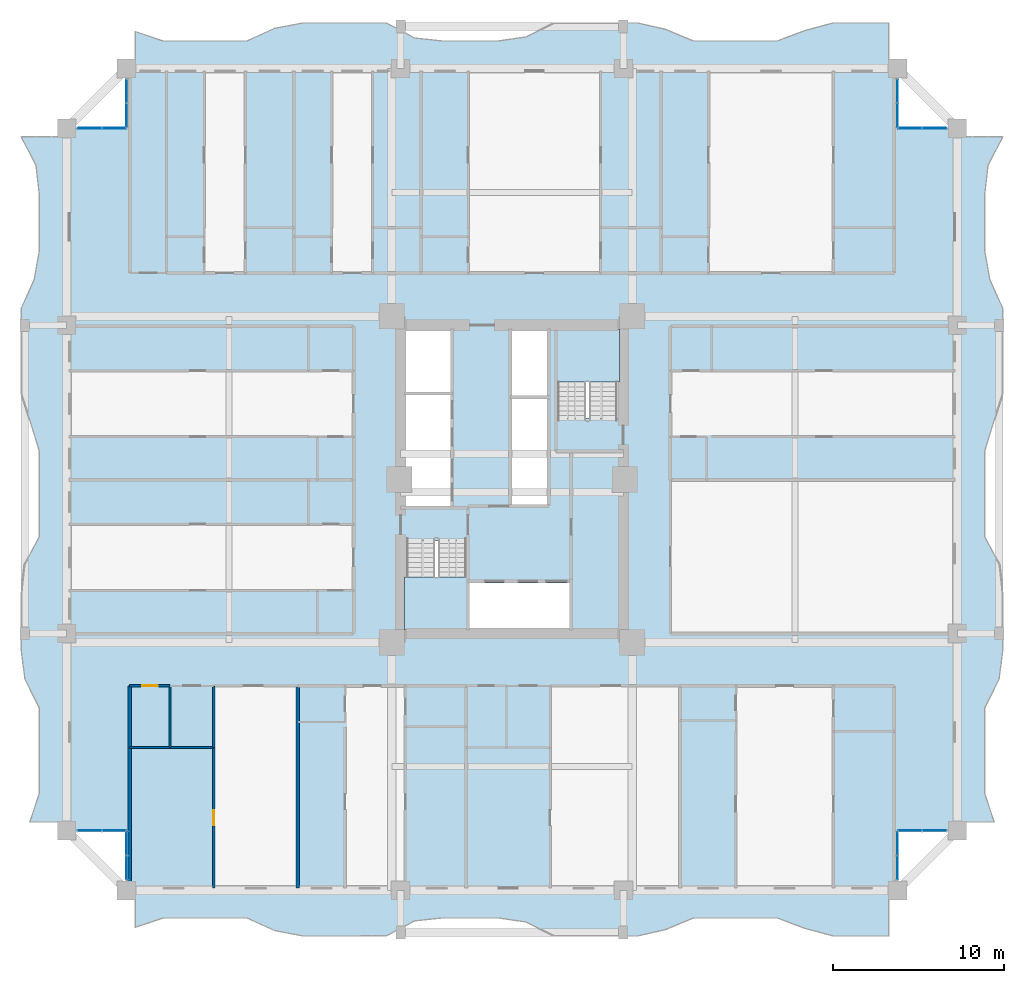
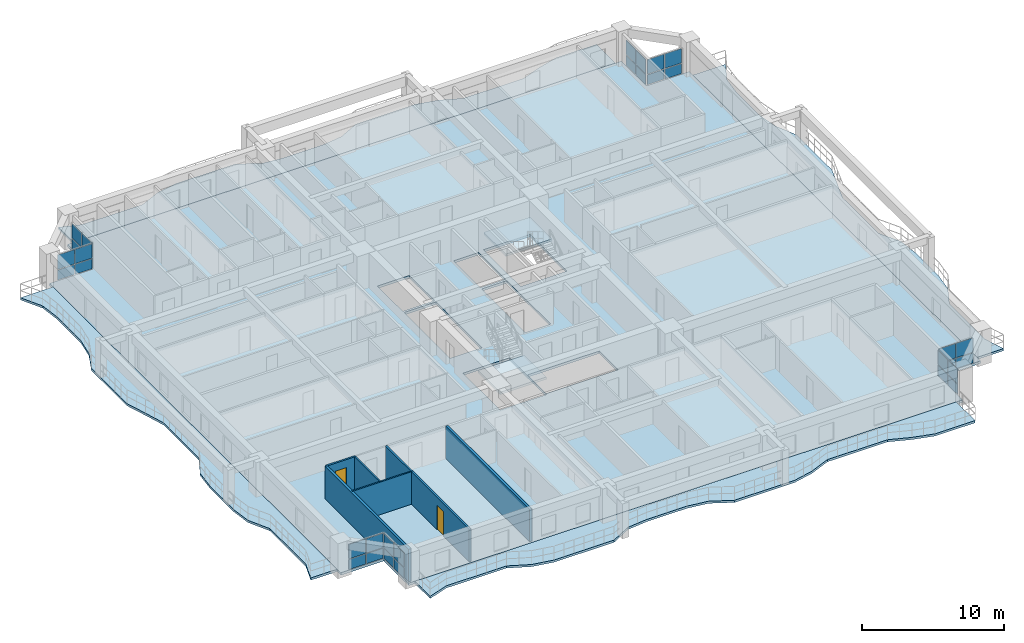
# One storey, part 13 of 27: 32 plates, 7 slabs, 7 walls, 2 doors, 2 openings, 10 elements without a shape of their own.
"""IFC4 building model written with IfcOpenShell, lengths in metres."""

from ifc_helpers import new_model, si_unit, direction, frame, frame_2d, origin, origin_2d, place, context, subcontext, project, spatial, polyline, rectangle, outline, extrude, source, transform, mapped, material, layer, layer_set, type_object, element, fill, aggregate, save


model = new_model("IFC4")

# Units and contexts
model_context = context("Model", 3, precision=1e-05, world=origin(), true_north=direction((0.0, 1.0)))
body_context = subcontext(model_context, "Body", "Model", "MODEL_VIEW")
ifc_project = project(units=[si_unit("LENGTHUNIT", "METRE"), si_unit("AREAUNIT", "SQUARE_METRE"), si_unit("VOLUMEUNIT", "CUBIC_METRE"), si_unit("PLANEANGLEUNIT", "RADIAN"), si_unit("MASSUNIT", "GRAM", prefix="KILO")], contexts=[model_context])

# Site, building, storey
site_placement = place(None, origin())
site = spatial("IfcSite", under=ifc_project, at=site_placement, CompositionType="ELEMENT")
building_placement = place(site_placement, origin())
building = spatial("IfcBuilding", under=site, at=building_placement, Name="Saelheon Loggia Tower", CompositionType="ELEMENT")
storey_placement = place(building_placement, frame((0.0, 0.0, 52.39990234375)))
storey = spatial("IfcBuildingStorey", under=building, at=storey_placement, Name="L16", CompositionType="ELEMENT", Elevation=52.39990234375)

# Slabs
ifc_material_1 = material(Name="Precast Concrete C45/55", Category="concrete")
ifc_layer_1 = layer(ifc_material_1, 0.18994140625)
ifc_layer_set_1 = layer_set([ifc_layer_1], Name="Precast Concrete C45/55")
slab_type_1 = type_object("IfcSlabType", Name="Slab_Loggia_Ext_190", PredefinedType="FLOOR", material=ifc_layer_set_1)
slab_1_placement = place(storey_placement, frame((0.0, 0.0, -0.18994140625)))
element("IfcSlab", 1, at=slab_1_placement, inside=storey, type_object=slab_type_1, Name="L16 Loggia Balcony Slab S", PredefinedType="FLOOR", context=body_context, shape_type="SweptSolid", body=[
    extrude(outline(polyline([(16.0, 0.85009765625), (17.629638671875, 1.39990234375), (19.25927734375, 1.39990234375), (20.888916015625, 1.39990234375), (22.5185546875, 1.39990234375), (24.148193359375, 0.661376953125), (25.77783203125, 0.35009765625), (27.407470703125, 0.35009765625), (29.037109375, 0.35009765625), (30.666748046875, 0.3544921875), (32.29638671875, 1.2236328125), (33.92578125, 1.39990234375), (35.5556640625, 1.39990234375), (37.185302734375, 1.39990234375), (38.814697265625, 1.165283203125), (40.4443359375, 0.35009765625), (42.07421875, 0.35009765625), (43.70361328125, 0.35009765625), (45.333251953125, 0.35009765625), (46.962890625, 0.72119140625), (48.592529296875, 1.39990234375), (50.22216796875, 1.39990234375), (51.851806640625, 1.39990234375), (53.4814453125, 1.39990234375), (55.111083984375, 0.78955078125), (56.74072265625, 0.35009765625), (58.370361328125, 0.35009765625), (60.0, 0.35009765625), (60.0, 3.0), (16.0, 3.0), (16.0, 0.85009765625)])), origin(), (0.0, 0.0, 1.0), 0.18994140625),
])
slab_2_placement = place(storey_placement, frame((0.0, 0.0, -0.18994140625)))
element("IfcSlab", 2, at=slab_2_placement, inside=storey, type_object=slab_type_1, Name="L16 Loggia Balcony Slab N", PredefinedType="FLOOR", context=body_context, shape_type="SweptSolid", body=[
    extrude(outline(polyline([(16.0, 51.0), (60.0, 51.0), (60.0, 53.64990234375), (58.370361328125, 53.64990234375), (56.74072265625, 53.64990234375), (55.111083984375, 53.21044921875), (53.4814453125, 52.60009765625), (51.851806640625, 52.60009765625), (50.22216796875, 52.60009765625), (48.592529296875, 52.60009765625), (46.962890625, 53.27880859375), (45.333251953125, 53.64990234375), (43.70361328125, 53.64990234375), (42.07421875, 53.64990234375), (40.4443359375, 53.64990234375), (38.814697265625, 52.834716796875), (37.185302734375, 52.60009765625), (35.5556640625, 52.60009765625), (33.92578125, 52.60009765625), (32.29638671875, 52.7763671875), (30.666748046875, 53.6455078125), (29.037109375, 53.64990234375), (27.407470703125, 53.64990234375), (25.77783203125, 53.64990234375), (24.148193359375, 53.338623046875), (22.5185546875, 52.60009765625), (20.888916015625, 52.60009765625), (19.25927734375, 52.60009765625), (17.629638671875, 52.60009765625), (16.0, 53.14990234375), (16.0, 51.0)])), origin(), (0.0, 0.0, 1.0), 0.18994140625),
])
slab_3_placement = place(storey_placement, frame((0.0, 0.0, -0.18994140625)))
element("IfcSlab", 3, at=slab_3_placement, inside=storey, type_object=slab_type_1, Name="L16 Loggia Balcony Slab E", PredefinedType="FLOOR", context=body_context, shape_type="SweptSolid", body=[
    extrude(outline(polyline([(64.0, 7.0), (66.14990234375, 7.0), (65.60009765625, 8.666748046875), (65.60009765625, 10.333251953125), (65.60009765625, 12.0), (65.60009765625, 13.666748046875), (66.437744140625, 15.333251953125), (66.64990234375, 17.0), (66.64990234375, 18.666748046875), (66.64990234375, 20.333251953125), (66.47314453125, 22.0), (65.60009765625, 23.666748046875), (65.60009765625, 25.333251953125), (65.60009765625, 27.0), (65.60009765625, 28.666748046875), (66.11376953125, 30.333251953125), (66.64990234375, 32.0), (66.64990234375, 33.666748046875), (66.64990234375, 35.333251953125), (66.64990234375, 37.0), (65.897705078125, 38.666748046875), (65.60009765625, 40.333251953125), (65.60009765625, 42.0), (65.60009765625, 43.666748046875), (65.791748046875, 45.333251953125), (66.64990234375, 47.0), (64.0, 47.0), (64.0, 7.0)])), origin(), (0.0, 0.0, 1.0), 0.18994140625),
])
slab_4_placement = place(storey_placement, frame((0.0, 0.0, -0.18994140625)))
element("IfcSlab", 4, at=slab_4_placement, inside=storey, type_object=slab_type_1, Name="L16 Loggia Balcony Slab W", PredefinedType="FLOOR", context=body_context, shape_type="SweptSolid", body=[
    extrude(outline(polyline([(12.0, 7.0), (12.0, 47.0), (9.35009765625, 47.0), (10.208251953125, 45.333251953125), (10.39990234375, 43.666748046875), (10.39990234375, 42.0), (10.39990234375, 40.333251953125), (10.102294921875, 38.666748046875), (9.35009765625, 37.0), (9.35009765625, 35.333251953125), (9.35009765625, 33.666748046875), (9.35009765625, 32.0), (9.88623046875, 30.333251953125), (10.39990234375, 28.666748046875), (10.39990234375, 27.0), (10.39990234375, 25.333251953125), (10.39990234375, 23.666748046875), (9.52685546875, 22.0), (9.35009765625, 20.333251953125), (9.35009765625, 18.666748046875), (9.35009765625, 17.0), (9.562255859375, 15.333251953125), (10.39990234375, 13.666748046875), (10.39990234375, 12.0), (10.39990234375, 10.333251953125), (10.39990234375, 8.666748046875), (9.85009765625, 7.0), (12.0, 7.0)])), origin(), (0.0, 0.0, 1.0), 0.18994140625),
])

# Stair, slab
ifc_material_2 = material(Name="Concrete C40/50", Category="concrete")
stair_type = type_object("IfcStairType", Name="Stair_Escape_Core", PredefinedType="HALF_TURN_STAIR", material=ifc_material_2)
stair_1_placement = place(storey_placement, origin())
stair_1 = element("IfcStair", 5, at=stair_1_placement, inside=storey, type_object=stair_type, Name="L16 Special Escape Stair ST1", PredefinedType="HALF_TURN_STAIR")
ifc_layer_2 = layer(ifc_material_2, 0.199951171875)
ifc_layer_set_2 = layer_set([ifc_layer_2], Name="Concrete C40/50")
slab_type_2 = type_object("IfcSlabType", Name="Slab_StairLanding_ST1", PredefinedType="LANDING", material=ifc_layer_set_2)
slab_5_placement = place(storey_placement, frame((0.0, 0.0, 1.300048828125)))
slab_5 = element("IfcSlab", 6, at=slab_5_placement, type_object=slab_type_2, Name="ST1 landing 1", PredefinedType="LANDING", context=body_context, shape_type="SweptSolid", body=[
    extrude(outline(polyline([(31.7099609375, 21.31005859375), (31.7099609375, 18.2099609375), (35.469970703125, 18.2099609375), (35.469970703125, 21.31005859375), (31.7099609375, 21.31005859375)])), origin(), (0.0, 0.0, 1.0), 0.199951171875),
])
aggregate(stair_1, [slab_5])

stair_2_placement = place(storey_placement, origin())
stair_2 = element("IfcStair", 7, at=stair_2_placement, inside=storey, type_object=stair_type, Name="L16 Special Escape Stair ST2", PredefinedType="HALF_TURN_STAIR")
ifc_layer_3 = layer(ifc_material_2, 0.199951171875)
ifc_layer_set_3 = layer_set([ifc_layer_3], Name="Concrete C40/50")
slab_type_3 = type_object("IfcSlabType", Name="Slab_StairLanding_ST2", PredefinedType="LANDING", material=ifc_layer_set_3)
slab_6_placement = place(storey_placement, frame((0.0, 0.0, 1.300048828125)))
slab_6 = element("IfcSlab", 8, at=slab_6_placement, type_object=slab_type_3, Name="ST2 landing 1", PredefinedType="LANDING", context=body_context, shape_type="SweptSolid", body=[
    extrude(outline(polyline([(44.2900390625, 32.68994140625), (44.2900390625, 35.7900390625), (40.530029296875, 35.7900390625), (40.530029296875, 32.68994140625), (44.2900390625, 32.68994140625)])), origin(), (0.0, 0.0, 1.0), 0.199951171875),
])
aggregate(stair_2, [slab_6])

# Slab
ifc_layer_4 = layer(ifc_material_2, 0.2099609375)
ifc_layer_set_4 = layer_set([ifc_layer_4], Name="Concrete C40/50")
slab_type_4 = type_object("IfcSlabType", Name="Slab_Tower_210", PredefinedType="FLOOR", material=ifc_layer_set_4)
slab_7_placement = place(storey_placement, frame((0.0, 0.0, -0.2099609375)))
element("IfcSlab", 9, at=slab_7_placement, inside=storey, type_object=slab_type_4, Name="L16 Tower Floor Slab", PredefinedType="FLOOR", context=body_context, shape_type="SweptSolid", body=[
    extrude(outline(polyline([(15.5, 3.0), (60.5, 3.0), (60.5, 6.5), (64.0, 6.5), (64.0, 47.5), (60.5, 47.5), (60.5, 51.0), (15.5, 51.0), (15.5, 47.5), (12.0, 47.5), (12.0, 6.5), (15.5, 6.5), (15.5, 3.0)]), holes=[polyline([(31.699951171875, 23.409912109375), (31.699951171875, 18.199951171875), (35.47998046875, 18.199951171875), (35.47998046875, 23.409912109375), (31.699951171875, 23.409912109375)]), polyline([(44.300048828125, 30.590087890625), (44.300048828125, 35.800048828125), (40.52001953125, 35.800048828125), (40.52001953125, 30.590087890625), (44.300048828125, 30.590087890625)]), polyline([(35.530029296875, 18.324951171875), (41.35009765625, 18.324951171875), (41.35009765625, 20.9599609375), (35.530029296875, 20.9599609375), (35.530029296875, 18.324951171875)]), polyline([(31.824951171875, 32.1201171875), (34.419921875, 32.1201171875), (34.419921875, 35.675048828125), (31.824951171875, 35.675048828125), (31.824951171875, 32.1201171875)]), polyline([(38.0, 31.89990234375), (40.050048828125, 31.89990234375), (40.050048828125, 35.675048828125), (38.0, 35.675048828125), (38.0, 31.89990234375)]), polyline([(31.824951171875, 25.449951171875), (34.419921875, 25.449951171875), (34.419921875, 31.919921875), (31.824951171875, 31.919921875), (31.824951171875, 25.449951171875)]), polyline([(38.0, 25.5400390625), (40.050048828125, 25.5400390625), (40.050048828125, 31.699951171875), (38.0, 31.699951171875), (38.0, 25.5400390625)])]), origin(), (0.0, 0.0, 1.0), 0.2099609375),
])

# Curtain wall, plates
ifc_material_3 = material(Name="Thermal-Break Aluminium and Triple Low-E Glass", Category="aluminium")
ifc_layer_5 = layer(ifc_material_3, 0.159912109375)
ifc_layer_set_5 = layer_set([ifc_layer_5], Name="Thermal-Break Aluminium and Triple Low-E Glass")
curtain_wall_type = type_object("IfcCurtainWallType", Name="CW_TowerLoggiaLow", PredefinedType="NOTDEFINED", material=ifc_layer_set_5)
curtain_wall_1_placement = place(storey_placement, origin())
curtain_wall_1 = element("IfcCurtainWall", 10, at=curtain_wall_1_placement, inside=storey, type_object=curtain_wall_type, Name="L16 Corner Notch Glazing SW1", PredefinedType="NOTDEFINED")
ifc_material_4 = material(Name="Triple Low-E Laminated Glazing", Category="glass")
ifc_layer_6 = layer(ifc_material_4, 0.0419921875)
ifc_layer_set_6 = layer_set([ifc_layer_6], Name="Triple Low-E Laminated Glazing")
plate_type = type_object("IfcPlateType", Name="CW_TowerLoggiaLow_Panel", PredefinedType="CURTAIN_PANEL", material=ifc_layer_set_6)
shared_shape_1 = source(origin(), body_context, "Body", "SweptSolid", [
    extrude(rectangle(XDim=1.357421875, YDim=0.0419921875, at=origin_2d()), origin(), (0.0, 0.0, 1.0), 0.8525390625),
])
plate_1_placement = place(storey_placement, frame((15.5, 4.333740234375, 0.065185546875), z_axis=(0.0, 0.0, 1.0), x_axis=(0.0, 1.0, 0.0)))
plate_1 = element("IfcPlate", 11, at=plate_1_placement, type_object=plate_type, Name="CW3 panel 1.1", PredefinedType="CURTAIN_PANEL", context=body_context, shape_type="MappedRepresentation", body=[
    mapped(shared_shape_1, transform((0.0, 0.0, 0.0), scale=1.0)),
])
plate_2_placement = place(storey_placement, frame((15.5, 5.75634765625, 0.065185546875), z_axis=(0.0, 0.0, 1.0), x_axis=(0.0, 1.0, 0.0)))
plate_2 = element("IfcPlate", 12, at=plate_2_placement, type_object=plate_type, Name="CW3 panel 2.1", PredefinedType="CURTAIN_PANEL", context=body_context, shape_type="MappedRepresentation", body=[
    mapped(shared_shape_1, transform((0.0, 0.0, 0.0), scale=1.0)),
])

curtain_wall_2_placement = place(storey_placement, origin())
curtain_wall_2 = element("IfcCurtainWall", 13, at=curtain_wall_2_placement, inside=storey, type_object=curtain_wall_type, Name="L16 Corner Notch Glazing SW2", PredefinedType="NOTDEFINED")
plate_3_placement = place(storey_placement, frame((13.333740234375, 6.5, 0.065185546875), z_axis=(0.0, 0.0, 1.0), x_axis=(1.0, 0.0, 0.0)))
plate_3 = element("IfcPlate", 14, at=plate_3_placement, type_object=plate_type, Name="CW3 panel 1.1", PredefinedType="CURTAIN_PANEL", context=body_context, shape_type="MappedRepresentation", body=[
    mapped(shared_shape_1, transform((0.0, 0.0, 0.0), scale=1.0)),
])
plate_4_placement = place(storey_placement, frame((14.75634765625, 6.5, 0.065185546875), z_axis=(0.0, 0.0, 1.0), x_axis=(1.0, 0.0, 0.0)))
plate_4 = element("IfcPlate", 15, at=plate_4_placement, type_object=plate_type, Name="CW3 panel 2.1", PredefinedType="CURTAIN_PANEL", context=body_context, shape_type="MappedRepresentation", body=[
    mapped(shared_shape_1, transform((0.0, 0.0, 0.0), scale=1.0)),
])

curtain_wall_3_placement = place(storey_placement, origin())
curtain_wall_3 = element("IfcCurtainWall", 16, at=curtain_wall_3_placement, inside=storey, type_object=curtain_wall_type, Name="L16 Corner Notch Glazing SE1", PredefinedType="NOTDEFINED")
plate_5_placement = place(storey_placement, frame((60.5, 4.333740234375, 0.065185546875), z_axis=(0.0, 0.0, 1.0), x_axis=(0.0, 1.0, 0.0)))
plate_5 = element("IfcPlate", 17, at=plate_5_placement, type_object=plate_type, Name="CW3 panel 1.1", PredefinedType="CURTAIN_PANEL", context=body_context, shape_type="MappedRepresentation", body=[
    mapped(shared_shape_1, transform((0.0, 0.0, 0.0), scale=1.0)),
])
plate_6_placement = place(storey_placement, frame((60.5, 5.75634765625, 0.065185546875), z_axis=(0.0, 0.0, 1.0), x_axis=(0.0, 1.0, 0.0)))
plate_6 = element("IfcPlate", 18, at=plate_6_placement, type_object=plate_type, Name="CW3 panel 2.1", PredefinedType="CURTAIN_PANEL", context=body_context, shape_type="MappedRepresentation", body=[
    mapped(shared_shape_1, transform((0.0, 0.0, 0.0), scale=1.0)),
])

curtain_wall_4_placement = place(storey_placement, origin())
curtain_wall_4 = element("IfcCurtainWall", 19, at=curtain_wall_4_placement, inside=storey, type_object=curtain_wall_type, Name="L16 Corner Notch Glazing SE2", PredefinedType="NOTDEFINED")
plate_7_placement = place(storey_placement, frame((61.24365234375, 6.5, 0.065185546875), z_axis=(0.0, 0.0, 1.0), x_axis=(1.0, 0.0, 0.0)))
plate_7 = element("IfcPlate", 20, at=plate_7_placement, type_object=plate_type, Name="CW3 panel 1.1", PredefinedType="CURTAIN_PANEL", context=body_context, shape_type="MappedRepresentation", body=[
    mapped(shared_shape_1, transform((0.0, 0.0, 0.0), scale=1.0)),
])
plate_8_placement = place(storey_placement, frame((62.666259765625, 6.5, 0.065185546875), z_axis=(0.0, 0.0, 1.0), x_axis=(1.0, 0.0, 0.0)))
plate_8 = element("IfcPlate", 21, at=plate_8_placement, type_object=plate_type, Name="CW3 panel 2.1", PredefinedType="CURTAIN_PANEL", context=body_context, shape_type="MappedRepresentation", body=[
    mapped(shared_shape_1, transform((0.0, 0.0, 0.0), scale=1.0)),
])

curtain_wall_5_placement = place(storey_placement, origin())
curtain_wall_5 = element("IfcCurtainWall", 22, at=curtain_wall_5_placement, inside=storey, type_object=curtain_wall_type, Name="L16 Corner Notch Glazing NW1", PredefinedType="NOTDEFINED")
plate_9_placement = place(storey_placement, frame((15.5, 48.24365234375, 0.065185546875), z_axis=(0.0, 0.0, 1.0), x_axis=(0.0, 1.0, 0.0)))
plate_9 = element("IfcPlate", 23, at=plate_9_placement, type_object=plate_type, Name="CW3 panel 1.1", PredefinedType="CURTAIN_PANEL", context=body_context, shape_type="MappedRepresentation", body=[
    mapped(shared_shape_1, transform((0.0, 0.0, 0.0), scale=1.0)),
])
plate_10_placement = place(storey_placement, frame((15.5, 49.666259765625, 0.065185546875), z_axis=(0.0, 0.0, 1.0), x_axis=(0.0, 1.0, 0.0)))
plate_10 = element("IfcPlate", 24, at=plate_10_placement, type_object=plate_type, Name="CW3 panel 2.1", PredefinedType="CURTAIN_PANEL", context=body_context, shape_type="MappedRepresentation", body=[
    mapped(shared_shape_1, transform((0.0, 0.0, 0.0), scale=1.0)),
])

curtain_wall_6_placement = place(storey_placement, origin())
curtain_wall_6 = element("IfcCurtainWall", 25, at=curtain_wall_6_placement, inside=storey, type_object=curtain_wall_type, Name="L16 Corner Notch Glazing NW2", PredefinedType="NOTDEFINED")
plate_11_placement = place(storey_placement, frame((13.333740234375, 47.5, 0.065185546875), z_axis=(0.0, 0.0, 1.0), x_axis=(1.0, 0.0, 0.0)))
plate_11 = element("IfcPlate", 26, at=plate_11_placement, type_object=plate_type, Name="CW3 panel 1.1", PredefinedType="CURTAIN_PANEL", context=body_context, shape_type="MappedRepresentation", body=[
    mapped(shared_shape_1, transform((0.0, 0.0, 0.0), scale=1.0)),
])
plate_12_placement = place(storey_placement, frame((14.75634765625, 47.5, 0.065185546875), z_axis=(0.0, 0.0, 1.0), x_axis=(1.0, 0.0, 0.0)))
plate_12 = element("IfcPlate", 27, at=plate_12_placement, type_object=plate_type, Name="CW3 panel 2.1", PredefinedType="CURTAIN_PANEL", context=body_context, shape_type="MappedRepresentation", body=[
    mapped(shared_shape_1, transform((0.0, 0.0, 0.0), scale=1.0)),
])

curtain_wall_7_placement = place(storey_placement, origin())
curtain_wall_7 = element("IfcCurtainWall", 28, at=curtain_wall_7_placement, inside=storey, type_object=curtain_wall_type, Name="L16 Corner Notch Glazing NE1", PredefinedType="NOTDEFINED")
plate_13_placement = place(storey_placement, frame((60.5, 48.24365234375, 0.065185546875), z_axis=(0.0, 0.0, 1.0), x_axis=(0.0, 1.0, 0.0)))
plate_13 = element("IfcPlate", 29, at=plate_13_placement, type_object=plate_type, Name="CW3 panel 1.1", PredefinedType="CURTAIN_PANEL", context=body_context, shape_type="MappedRepresentation", body=[
    mapped(shared_shape_1, transform((0.0, 0.0, 0.0), scale=1.0)),
])
plate_14_placement = place(storey_placement, frame((60.5, 49.666259765625, 0.065185546875), z_axis=(0.0, 0.0, 1.0), x_axis=(0.0, 1.0, 0.0)))
plate_14 = element("IfcPlate", 30, at=plate_14_placement, type_object=plate_type, Name="CW3 panel 2.1", PredefinedType="CURTAIN_PANEL", context=body_context, shape_type="MappedRepresentation", body=[
    mapped(shared_shape_1, transform((0.0, 0.0, 0.0), scale=1.0)),
])

curtain_wall_8_placement = place(storey_placement, origin())
curtain_wall_8 = element("IfcCurtainWall", 31, at=curtain_wall_8_placement, inside=storey, type_object=curtain_wall_type, Name="L16 Corner Notch Glazing NE2", PredefinedType="NOTDEFINED")
plate_15_placement = place(storey_placement, frame((61.24365234375, 47.5, 0.065185546875), z_axis=(0.0, 0.0, 1.0), x_axis=(1.0, 0.0, 0.0)))
plate_15 = element("IfcPlate", 32, at=plate_15_placement, type_object=plate_type, Name="CW3 panel 1.1", PredefinedType="CURTAIN_PANEL", context=body_context, shape_type="MappedRepresentation", body=[
    mapped(shared_shape_1, transform((0.0, 0.0, 0.0), scale=1.0)),
])
plate_16_placement = place(storey_placement, frame((62.666259765625, 47.5, 0.065185546875), z_axis=(0.0, 0.0, 1.0), x_axis=(1.0, 0.0, 0.0)))
plate_16 = element("IfcPlate", 33, at=plate_16_placement, type_object=plate_type, Name="CW3 panel 2.1", PredefinedType="CURTAIN_PANEL", context=body_context, shape_type="MappedRepresentation", body=[
    mapped(shared_shape_1, transform((0.0, 0.0, 0.0), scale=1.0)),
])

# Plate
shared_shape_2 = source(origin(), body_context, "Body", "SweptSolid", [
    extrude(rectangle(XDim=1.357421875, YDim=0.0419921875, at=origin_2d()), origin(), (0.0, 0.0, 1.0), 1.232421875),
])
plate_17_placement = place(storey_placement, frame((15.5, 4.333740234375, 0.982666015625), z_axis=(0.0, 0.0, 1.0), x_axis=(0.0, 1.0, 0.0)))
plate_17 = element("IfcPlate", 34, at=plate_17_placement, type_object=plate_type, Name="CW3 panel 1.2", PredefinedType="CURTAIN_PANEL", context=body_context, shape_type="MappedRepresentation", body=[
    mapped(shared_shape_2, transform((0.0, 0.0, 0.0), scale=1.0)),
])

plate_18_placement = place(storey_placement, frame((15.5, 5.75634765625, 0.982666015625), z_axis=(0.0, 0.0, 1.0), x_axis=(0.0, 1.0, 0.0)))
plate_18 = element("IfcPlate", 35, at=plate_18_placement, type_object=plate_type, Name="CW3 panel 2.2", PredefinedType="CURTAIN_PANEL", context=body_context, shape_type="MappedRepresentation", body=[
    mapped(shared_shape_2, transform((0.0, 0.0, 0.0), scale=1.0)),
])

aggregate(curtain_wall_1, [plate_1, plate_17, plate_2, plate_18])

plate_19_placement = place(storey_placement, frame((13.333740234375, 6.5, 0.982666015625), z_axis=(0.0, 0.0, 1.0), x_axis=(1.0, 0.0, 0.0)))
plate_19 = element("IfcPlate", 36, at=plate_19_placement, type_object=plate_type, Name="CW3 panel 1.2", PredefinedType="CURTAIN_PANEL", context=body_context, shape_type="MappedRepresentation", body=[
    mapped(shared_shape_2, transform((0.0, 0.0, 0.0), scale=1.0)),
])

plate_20_placement = place(storey_placement, frame((14.75634765625, 6.5, 0.982666015625), z_axis=(0.0, 0.0, 1.0), x_axis=(1.0, 0.0, 0.0)))
plate_20 = element("IfcPlate", 37, at=plate_20_placement, type_object=plate_type, Name="CW3 panel 2.2", PredefinedType="CURTAIN_PANEL", context=body_context, shape_type="MappedRepresentation", body=[
    mapped(shared_shape_2, transform((0.0, 0.0, 0.0), scale=1.0)),
])

aggregate(curtain_wall_2, [plate_3, plate_19, plate_4, plate_20])

plate_21_placement = place(storey_placement, frame((60.5, 4.333740234375, 0.982666015625), z_axis=(0.0, 0.0, 1.0), x_axis=(0.0, 1.0, 0.0)))
plate_21 = element("IfcPlate", 38, at=plate_21_placement, type_object=plate_type, Name="CW3 panel 1.2", PredefinedType="CURTAIN_PANEL", context=body_context, shape_type="MappedRepresentation", body=[
    mapped(shared_shape_2, transform((0.0, 0.0, 0.0), scale=1.0)),
])

plate_22_placement = place(storey_placement, frame((60.5, 5.75634765625, 0.982666015625), z_axis=(0.0, 0.0, 1.0), x_axis=(0.0, 1.0, 0.0)))
plate_22 = element("IfcPlate", 39, at=plate_22_placement, type_object=plate_type, Name="CW3 panel 2.2", PredefinedType="CURTAIN_PANEL", context=body_context, shape_type="MappedRepresentation", body=[
    mapped(shared_shape_2, transform((0.0, 0.0, 0.0), scale=1.0)),
])

aggregate(curtain_wall_3, [plate_5, plate_21, plate_6, plate_22])

plate_23_placement = place(storey_placement, frame((61.24365234375, 6.5, 0.982666015625), z_axis=(0.0, 0.0, 1.0), x_axis=(1.0, 0.0, 0.0)))
plate_23 = element("IfcPlate", 40, at=plate_23_placement, type_object=plate_type, Name="CW3 panel 1.2", PredefinedType="CURTAIN_PANEL", context=body_context, shape_type="MappedRepresentation", body=[
    mapped(shared_shape_2, transform((0.0, 0.0, 0.0), scale=1.0)),
])

plate_24_placement = place(storey_placement, frame((62.666259765625, 6.5, 0.982666015625), z_axis=(0.0, 0.0, 1.0), x_axis=(1.0, 0.0, 0.0)))
plate_24 = element("IfcPlate", 41, at=plate_24_placement, type_object=plate_type, Name="CW3 panel 2.2", PredefinedType="CURTAIN_PANEL", context=body_context, shape_type="MappedRepresentation", body=[
    mapped(shared_shape_2, transform((0.0, 0.0, 0.0), scale=1.0)),
])

aggregate(curtain_wall_4, [plate_7, plate_23, plate_8, plate_24])

plate_25_placement = place(storey_placement, frame((15.5, 48.24365234375, 0.982666015625), z_axis=(0.0, 0.0, 1.0), x_axis=(0.0, 1.0, 0.0)))
plate_25 = element("IfcPlate", 42, at=plate_25_placement, type_object=plate_type, Name="CW3 panel 1.2", PredefinedType="CURTAIN_PANEL", context=body_context, shape_type="MappedRepresentation", body=[
    mapped(shared_shape_2, transform((0.0, 0.0, 0.0), scale=1.0)),
])

plate_26_placement = place(storey_placement, frame((15.5, 49.666259765625, 0.982666015625), z_axis=(0.0, 0.0, 1.0), x_axis=(0.0, 1.0, 0.0)))
plate_26 = element("IfcPlate", 43, at=plate_26_placement, type_object=plate_type, Name="CW3 panel 2.2", PredefinedType="CURTAIN_PANEL", context=body_context, shape_type="MappedRepresentation", body=[
    mapped(shared_shape_2, transform((0.0, 0.0, 0.0), scale=1.0)),
])

aggregate(curtain_wall_5, [plate_9, plate_25, plate_10, plate_26])

plate_27_placement = place(storey_placement, frame((13.333740234375, 47.5, 0.982666015625), z_axis=(0.0, 0.0, 1.0), x_axis=(1.0, 0.0, 0.0)))
plate_27 = element("IfcPlate", 44, at=plate_27_placement, type_object=plate_type, Name="CW3 panel 1.2", PredefinedType="CURTAIN_PANEL", context=body_context, shape_type="MappedRepresentation", body=[
    mapped(shared_shape_2, transform((0.0, 0.0, 0.0), scale=1.0)),
])

plate_28_placement = place(storey_placement, frame((14.75634765625, 47.5, 0.982666015625), z_axis=(0.0, 0.0, 1.0), x_axis=(1.0, 0.0, 0.0)))
plate_28 = element("IfcPlate", 45, at=plate_28_placement, type_object=plate_type, Name="CW3 panel 2.2", PredefinedType="CURTAIN_PANEL", context=body_context, shape_type="MappedRepresentation", body=[
    mapped(shared_shape_2, transform((0.0, 0.0, 0.0), scale=1.0)),
])

aggregate(curtain_wall_6, [plate_11, plate_27, plate_12, plate_28])

plate_29_placement = place(storey_placement, frame((60.5, 48.24365234375, 0.982666015625), z_axis=(0.0, 0.0, 1.0), x_axis=(0.0, 1.0, 0.0)))
plate_29 = element("IfcPlate", 46, at=plate_29_placement, type_object=plate_type, Name="CW3 panel 1.2", PredefinedType="CURTAIN_PANEL", context=body_context, shape_type="MappedRepresentation", body=[
    mapped(shared_shape_2, transform((0.0, 0.0, 0.0), scale=1.0)),
])

plate_30_placement = place(storey_placement, frame((60.5, 49.666259765625, 0.982666015625), z_axis=(0.0, 0.0, 1.0), x_axis=(0.0, 1.0, 0.0)))
plate_30 = element("IfcPlate", 47, at=plate_30_placement, type_object=plate_type, Name="CW3 panel 2.2", PredefinedType="CURTAIN_PANEL", context=body_context, shape_type="MappedRepresentation", body=[
    mapped(shared_shape_2, transform((0.0, 0.0, 0.0), scale=1.0)),
])

aggregate(curtain_wall_7, [plate_13, plate_29, plate_14, plate_30])

plate_31_placement = place(storey_placement, frame((61.24365234375, 47.5, 0.982666015625), z_axis=(0.0, 0.0, 1.0), x_axis=(1.0, 0.0, 0.0)))
plate_31 = element("IfcPlate", 48, at=plate_31_placement, type_object=plate_type, Name="CW3 panel 1.2", PredefinedType="CURTAIN_PANEL", context=body_context, shape_type="MappedRepresentation", body=[
    mapped(shared_shape_2, transform((0.0, 0.0, 0.0), scale=1.0)),
])

plate_32_placement = place(storey_placement, frame((62.666259765625, 47.5, 0.982666015625), z_axis=(0.0, 0.0, 1.0), x_axis=(1.0, 0.0, 0.0)))
plate_32 = element("IfcPlate", 49, at=plate_32_placement, type_object=plate_type, Name="CW3 panel 2.2", PredefinedType="CURTAIN_PANEL", context=body_context, shape_type="MappedRepresentation", body=[
    mapped(shared_shape_2, transform((0.0, 0.0, 0.0), scale=1.0)),
])

aggregate(curtain_wall_8, [plate_15, plate_31, plate_16, plate_32])

# Wall
ifc_material_5 = material(Name="Lightweight Autoclaved Aerated Concrete Block and Acoustic Gypsum", Category="concrete")
ifc_layer_7 = layer(ifc_material_5, 0.14990234375)
ifc_layer_set_7 = layer_set([ifc_layer_7], Name="Lightweight Autoclaved Aerated Concrete Block and Acoustic Gypsum")
wall_type_1 = type_object("IfcWallType", Name="Wall_Part_150", PredefinedType="PARTITIONING", material=ifc_layer_set_7)
wall_1_placement = place(storey_placement, frame((20.580078125, 14.949951171875, 0.0), z_axis=(0.0, 0.0, 1.0), x_axis=(0.0, -1.0, 0.0)))
element("IfcWall", 50, at=wall_1_placement, inside=storey, type_object=wall_type_1, Name="L16 S Partition U04", PredefinedType="PARTITIONING", context=body_context, shape_type="SweptSolid", body=[
    extrude(rectangle(XDim=3.599853515625, YDim=0.14990234375, at=frame_2d((1.7998046875, 0.0))), origin(), (0.0, 0.0, 1.0), 2.7900390625),
])

# Wall, opening, door
wall_2_placement = place(storey_placement, frame((20.580078125, 11.35009765625, 0.0), z_axis=(0.0, 0.0, 1.0), x_axis=(0.0, -1.0, 0.0)))
wall_2 = element("IfcWall", 51, at=wall_2_placement, inside=storey, type_object=wall_type_1, Name="L16 S Partition U05", PredefinedType="PARTITIONING", context=body_context, shape_type="SweptSolid", body=[
    extrude(rectangle(XDim=8.2001953125, YDim=0.14990234375, at=frame_2d((4.10009765625, 0.0))), origin(), (0.0, 0.0, 1.0), 2.7900390625),
])
opening_1_placement = place(wall_2_placement, frame((3.64990234375, 0.0, 0.0)))
opening_1 = element("IfcOpeningElement", 52, at=opening_1_placement, cuts=wall_2, Name="Opening D-IN2", PredefinedType="OPENING", context=body_context, shape_type="SweptSolid", body=[
    extrude(rectangle(XDim=0.89990234375, YDim=2.10009765625, at=frame_2d((0.449951171875, 1.050048828125))), frame((0.0, 0.0869140625, 0.0), z_axis=(0.0, -1.0, 0.0), x_axis=(1.0, 0.0, 0.0)), (0.0, 0.0, 1.0), 0.173828125),
])
ifc_material_6 = material(Name="Engineered Oak Flush Door", Category="timber")
door_type = type_object("IfcDoorType", Name="Door_Int_900", OperationType="NOTDEFINED", PredefinedType="DOOR", material=ifc_material_6)
shared_shape_3 = source(origin(), body_context, "Body", "SweptSolid", [
    extrude(rectangle(XDim=0.89990234375, YDim=2.10009765625, at=frame_2d((0.449951171875, 1.050048828125))), frame((0.0, 0.02490234375, 0.0), z_axis=(0.0, -1.0, 0.0), x_axis=(1.0, 0.0, 0.0)), (0.0, 0.0, 1.0), 0.050048828125),
])
door_1_placement = place(opening_1_placement, origin())
door_1 = element("IfcDoor", 53, at=door_1_placement, inside=storey, type_object=door_type, Name="L16 Reading Alcove Door", OperationType="SINGLE_SWING_LEFT", OverallHeight=2.10009765625, OverallWidth=0.89990234375, PredefinedType="DOOR", context=body_context, shape_type="MappedRepresentation", body=[
    mapped(shared_shape_3, transform((0.0, 0.0, 0.0), scale=1.0)),
])
fill(opening_1, door_1)

wall_3_placement = place(storey_placement, frame((15.679931640625, 14.949951171875, 0.0), z_axis=(0.0, 0.0, 1.0), x_axis=(1.0, 0.0, 0.0)))
wall_3 = element("IfcWall", 54, at=wall_3_placement, inside=storey, type_object=wall_type_1, Name="L16 S Partition V07", PredefinedType="PARTITIONING", context=body_context, shape_type="SweptSolid", body=[
    extrude(rectangle(XDim=2.35009765625, YDim=0.14990234375, at=frame_2d((1.175048828125, 0.0))), origin(), (0.0, 0.0, 1.0), 2.7900390625),
])
opening_2_placement = place(wall_3_placement, frame((0.72509765625, 0.0, 0.0)))
opening_2 = element("IfcOpeningElement", 55, at=opening_2_placement, cuts=wall_3, Name="Opening D-IN2", PredefinedType="OPENING", context=body_context, shape_type="SweptSolid", body=[
    extrude(rectangle(XDim=0.89990234375, YDim=2.10009765625, at=frame_2d((0.449951171875, 1.050048828125))), frame((0.0, 0.0869140625, 0.0), z_axis=(0.0, -1.0, 0.0), x_axis=(1.0, 0.0, 0.0)), (0.0, 0.0, 1.0), 0.173828125),
])
door_2_placement = place(opening_2_placement, origin())
door_2 = element("IfcDoor", 56, at=door_2_placement, inside=storey, type_object=door_type, Name="L16 Community Pantry Door", OperationType="SINGLE_SWING_RIGHT", OverallHeight=2.10009765625, OverallWidth=0.89990234375, PredefinedType="DOOR", context=body_context, shape_type="MappedRepresentation", body=[
    mapped(shared_shape_3, transform((0.0, 0.0, 0.0), scale=1.0)),
])
fill(opening_2, door_2)

# Walls
ifc_material_7 = material(Name="Double Acoustic Stud and Fireboard Partition", Category="gypsum")
ifc_layer_8 = layer(ifc_material_7, 0.199951171875)
ifc_layer_set_8 = layer_set([ifc_layer_8], Name="Double Acoustic Stud and Fireboard Partition")
wall_type_2 = type_object("IfcWallType", Name="Wall_Party_200", PredefinedType="PARTITIONING", material=ifc_layer_set_8)
for number, where, z_axis, x_axis, name in (
    (57, (15.679931640625, 14.949951171875, 0.0), (0.0, 0.0, 1.0), (0.0, -1.0, 0.0), "L16 S Partition U01"),
    (58, (25.500732421875, 14.949951171875, 0.0), (0.0, 0.0, 1.0), (0.0, -1.0, 0.0), "L16 S Partition U10"),
):
    element("IfcWall", number, at=place(storey_placement, frame(where, z_axis=z_axis, x_axis=x_axis)), inside=storey, type_object=wall_type_2, Name=name, PredefinedType="PARTITIONING", context=body_context, shape_type="SweptSolid", body=[
        extrude(rectangle(XDim=11.800048828125, YDim=0.199951171875, at=frame_2d((5.89990234375, 0.0))), origin(), (0.0, 0.0, 1.0), 2.7900390625),
    ])
ifc_material_8 = material(Name="Moisture-Resistant Cement Board Partition", Category="gypsum")
ifc_layer_9 = layer(ifc_material_8, 0.1201171875)
ifc_layer_set_9 = layer_set([ifc_layer_9], Name="Moisture-Resistant Cement Board Partition")
wall_type_3 = type_object("IfcWallType", Name="Wall_WetPart_120", PredefinedType="PARTITIONING", material=ifc_layer_set_9)
wall_4_placement = place(storey_placement, frame((18.030029296875, 14.949951171875, 0.0), z_axis=(0.0, 0.0, 1.0), x_axis=(0.0, -1.0, 0.0)))
element("IfcWall", 59, at=wall_4_placement, inside=storey, type_object=wall_type_3, Name="L16 S Partition U03", PredefinedType="PARTITIONING", context=body_context, shape_type="SweptSolid", body=[
    extrude(rectangle(XDim=3.599853515625, YDim=0.1201171875, at=frame_2d((1.7998046875, 0.0))), origin(), (0.0, 0.0, 1.0), 2.7900390625),
])
wall_5_placement = place(storey_placement, frame((15.679931640625, 11.35009765625, 0.0), z_axis=(0.0, 0.0, 1.0), x_axis=(1.0, 0.0, 0.0)))
element("IfcWall", 60, at=wall_5_placement, inside=storey, type_object=wall_type_3, Name="L16 S Partition V06", PredefinedType="PARTITIONING", context=body_context, shape_type="SweptSolid", body=[
    extrude(rectangle(XDim=4.900146484375, YDim=0.1201171875, at=frame_2d((2.4501953125, 0.0))), origin(), (0.0, 0.0, 1.0), 2.7900390625),
])

save(model, "model.ifc")
